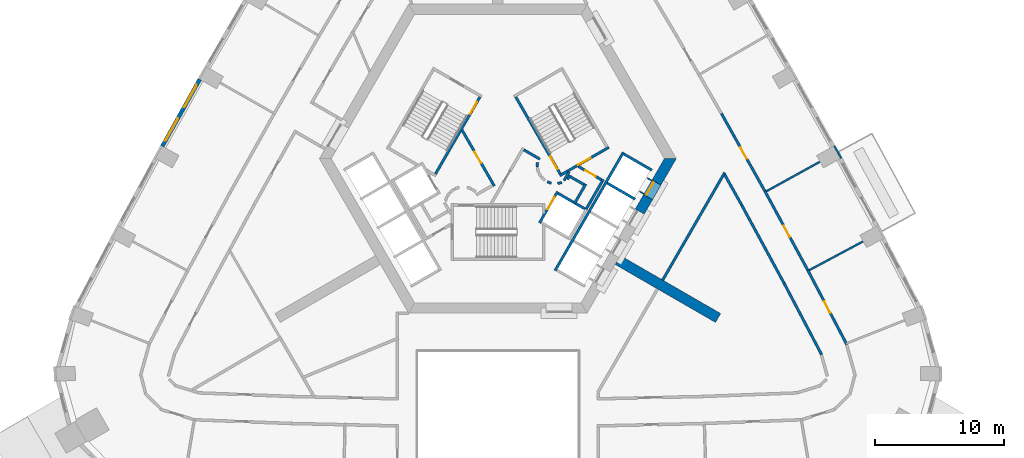
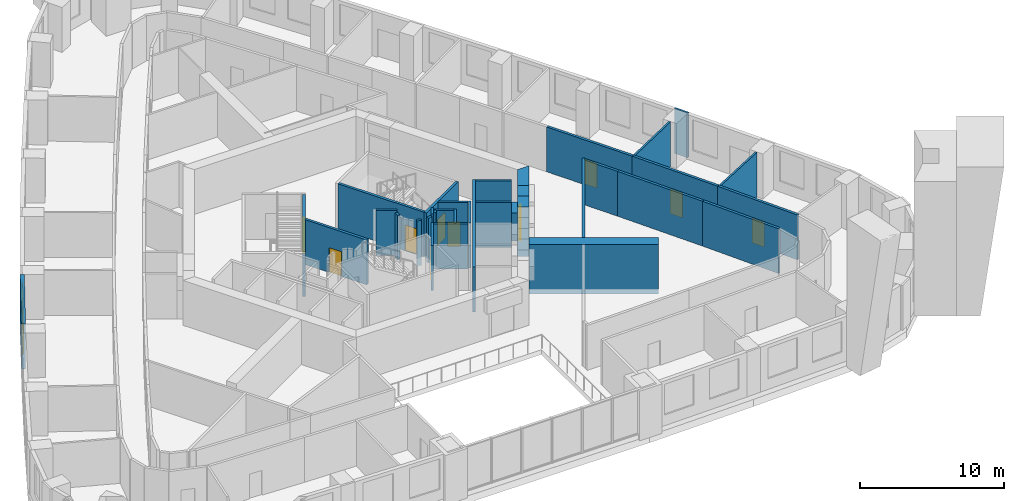
# One storey, part 7 of 15: 35 walls, 10 doors, 2 windows, 12 openings.
"""IFC4 building model written with IfcOpenShell, lengths in metres."""

from ifc_helpers import new_model, si_unit, direction, frame, frame_2d, origin, place, context, subcontext, project, spatial, polyline, rectangle, outline, extrude, material, layer, layer_set, type_object, element, fill, save


model = new_model("IFC4")

# Units and contexts
model_context = context("Model", 3, precision=1e-05, world=origin(), true_north=direction((0.0, 1.0)))
body_context = subcontext(model_context, "Body", "Model", "MODEL_VIEW")
ifc_project = project(units=[si_unit("LENGTHUNIT", "METRE"), si_unit("AREAUNIT", "SQUARE_METRE"), si_unit("VOLUMEUNIT", "CUBIC_METRE"), si_unit("PLANEANGLEUNIT", "RADIAN"), si_unit("MASSUNIT", "GRAM", prefix="KILO")], contexts=[model_context])

# Site, building, storey
site_placement = place(None, origin())
site = spatial("IfcSite", under=ifc_project, at=site_placement, CompositionType="ELEMENT")
building_placement = place(site_placement, origin())
building = spatial("IfcBuilding", under=site, at=building_placement, Name="Entoto Arch Interchange Tower", CompositionType="ELEMENT")
storey_placement = place(building_placement, frame((0.0, 0.0, 150.800048828125)))
storey = spatial("IfcBuildingStorey", under=building, at=storey_placement, Name="L33", CompositionType="ELEMENT", Elevation=150.800048828125)

# Walls
ifc_material_1 = material(Name="Concrete C50/60", Category="concrete")
ifc_layer_1 = layer(ifc_material_1, 0.800048828125)
ifc_layer_set_1 = layer_set([ifc_layer_1], Name="Concrete C50/60")
wall_type_1 = type_object("IfcWallType", Name="Buttress wall 800 C50/60", PredefinedType="SHEAR", material=ifc_layer_set_1)
wall_1_placement = place(storey_placement, frame((9.31005859375, -5.375, -0.400146484375), z_axis=(0.0, 0.0, 1.0), x_axis=(0.866017533419, -0.500013631625, 0.0)))
element("IfcWall", 1, at=wall_1_placement, inside=storey, type_object=wall_type_1, Name="Buttress wall SE L33", PredefinedType="SHEAR", context=body_context, shape_type="SweptSolid", body=[
    extrude(rectangle(XDim=8.999755859375, YDim=0.800048828125, at=frame_2d((4.5, 0.0))), origin(), (0.0, 0.0, 1.0), 4.2001953125),
])
ifc_layer_2 = layer(ifc_material_1, 0.800048828125)
ifc_layer_set_2 = layer_set([ifc_layer_2], Name="Concrete C50/60")
wall_type_2 = type_object("IfcWallType", Name="Core wall 800 C50/60", PredefinedType="SHEAR", material=ifc_layer_set_2)
wall_2_placement = place(storey_placement, frame((0.0, 0.0, -0.400146484375)))
element("IfcWall", 2, at=wall_2_placement, inside=storey, type_object=wall_type_2, Name="Core wall SE L33", PredefinedType="SHEAR", context=body_context, shape_type="SweptSolid", body=[
    extrude(outline(polyline([(12.01708984375, -0.68603515625), (11.323974609375, -0.285888671875), (10.675048828125, -1.410888671875), (11.366943359375, -1.81103515625), (12.01708984375, -0.68603515625)])), origin(), (0.0, 0.0, 1.0), 4.2001953125),
])
wall_3_placement = place(storey_placement, frame((0.0, 0.0, -0.400146484375)))
element("IfcWall", 3, at=wall_3_placement, inside=storey, type_object=wall_type_2, Name="Core wall SE L33", PredefinedType="SHEAR", context=body_context, shape_type="SweptSolid", body=[
    extrude(outline(polyline([(11.97412109375, 0.840087890625), (12.6669921875, 0.43994140625), (13.85595703125, 2.5), (12.93310546875, 2.5), (11.97412109375, 0.840087890625)])), origin(), (0.0, 0.0, 1.0), 4.2001953125),
])
wall_4_placement = place(storey_placement, frame((0.0, 0.0, 3.599853515625)))
element("IfcWall", 4, at=wall_4_placement, inside=storey, type_object=wall_type_2, Name="Core wall lintel SE L33", PredefinedType="SHEAR", context=body_context, shape_type="SweptSolid", body=[
    extrude(outline(polyline([(12.6669921875, 0.43994140625), (11.97412109375, 0.840087890625), (11.323974609375, -0.285888671875), (12.01708984375, -0.68603515625), (12.6669921875, 0.43994140625)])), origin(), (0.0, 0.0, 1.0), 0.2001953125),
])

# Wall, opening, door
ifc_material_2 = material(Name="Concrete C40/50", Category="concrete")
ifc_layer_3 = layer(ifc_material_2, 1.199951171875)
ifc_layer_set_3 = layer_set([ifc_layer_3], Name="Concrete C40/50")
wall_type_3 = type_object("IfcWallType", Name="LIFT LANDING INFILL WALL", PredefinedType="STANDARD", material=ifc_layer_set_3)
wall_5_placement = place(storey_placement, frame((11.498046875, -0.385009765625, 0.0), z_axis=(0.0, 0.0, 1.0), x_axis=(0.500221244143, 0.865897630733, 0.0)))
wall_5 = element("IfcWall", 5, at=wall_5_placement, inside=storey, type_object=wall_type_3, Name="Lift landing infill wall LR8 L33", PredefinedType="STANDARD", context=body_context, shape_type="SweptSolid", body=[
    extrude(rectangle(XDim=1.29931640625, YDim=1.199951171875, at=frame_2d((0.649658203125, 0.0))), origin(), (0.0, 0.0, 1.0), 2.39990234375),
])
opening_1_placement = place(wall_5_placement, frame((0.10009765625, 0.0, 0.0)))
opening_1 = element("IfcOpeningElement", 6, at=opening_1_placement, cuts=wall_5, Name="Opening LD-LR8-L33", PredefinedType="OPENING", context=body_context, shape_type="SweptSolid", body=[
    extrude(rectangle(XDim=1.10009765625, YDim=2.300048828125, at=frame_2d((0.550048828125, 1.14990234375))), frame((0.0, 0.60986328125, 0.0), z_axis=(0.0, -1.0, 0.0), x_axis=(1.0, 0.0, 0.0)), (0.0, 0.0, 1.0), 1.219970703125),
])
ifc_material_3 = material(Name="Stainless steel 1.4301 panels", Category="steel")
door_type_1 = type_object("IfcDoorType", Name="LIFT LANDING DOOR LD2 1100x2300", OperationType="SLIDING_TO_LEFT", PredefinedType="DOOR", material=ifc_material_3)
door_1_placement = place(opening_1_placement, origin())
door_1 = element("IfcDoor", 7, at=door_1_placement, inside=storey, type_object=door_type_1, Name="Lift landing door LR8 L33", OperationType="SLIDING_TO_LEFT", OverallHeight=2.300048828125, OverallWidth=1.10009765625, PredefinedType="DOOR", context=body_context, shape_type="SweptSolid", body=[
    extrude(rectangle(XDim=1.10009765625, YDim=2.300048828125, at=frame_2d((0.550048828125, 1.14990234375))), frame((0.0, 0.02490234375, 0.0), z_axis=(0.0, -1.0, 0.0), x_axis=(1.0, 0.0, 0.0)), (0.0, 0.0, 1.0), 0.050048828125),
])
fill(opening_1, door_1)

ifc_layer_4 = layer(ifc_material_2, 0.199951171875)
ifc_layer_set_4 = layer_set([ifc_layer_4], Name="Concrete C40/50")
wall_type_4 = type_object("IfcWallType", Name="LIFT SHAFT WALL 200", PredefinedType="STANDARD", material=ifc_layer_set_4)
wall_6_placement = place(storey_placement, frame((3.239990234375, -2.488037109375, 0.0), z_axis=(0.0, 0.0, 1.0), x_axis=(0.49994636267, 0.866056369097, 0.0)))
wall_6 = element("IfcWall", 8, at=wall_6_placement, inside=storey, type_object=wall_type_4, Name="Shaft wall SE1 front", PredefinedType="STANDARD", context=body_context, shape_type="SweptSolid", body=[
    extrude(rectangle(XDim=2.800048828125, YDim=0.199951171875, at=frame_2d((1.39990234375, 0.0))), origin(), (0.0, 0.0, 1.0), 3.800048828125),
])
opening_2_placement = place(wall_6_placement, frame((1.22509765625, 0.0, 0.0)))
opening_2 = element("IfcOpeningElement", 9, at=opening_2_placement, cuts=wall_6, Name="Opening LD-FF1-L33", PredefinedType="OPENING", context=body_context, shape_type="SweptSolid", body=[
    extrude(rectangle(XDim=1.10009765625, YDim=2.10009765625, at=frame_2d((0.550048828125, 1.050048828125))), frame((0.0, 0.10986328125, 0.0), z_axis=(0.0, -1.0, 0.0), x_axis=(1.0, 0.0, 0.0)), (0.0, 0.0, 1.0), 0.219970703125),
])
door_type_2 = type_object("IfcDoorType", Name="LIFT LANDING DOOR LD1 1100x2100", OperationType="SLIDING_TO_LEFT", PredefinedType="DOOR", material=ifc_material_3)
door_2_placement = place(opening_2_placement, origin())
door_2 = element("IfcDoor", 10, at=door_2_placement, inside=storey, type_object=door_type_2, Name="Lift landing door FF1 L33", OperationType="SLIDING_TO_LEFT", OverallHeight=2.10009765625, OverallWidth=1.10009765625, PredefinedType="DOOR", context=body_context, shape_type="SweptSolid", body=[
    extrude(rectangle(XDim=1.10009765625, YDim=2.10009765625, at=frame_2d((0.550048828125, 1.050048828125))), frame((0.0, 0.02490234375, 0.0), z_axis=(0.0, -1.0, 0.0), x_axis=(1.0, 0.0, 0.0)), (0.0, 0.0, 1.0), 0.050048828125),
])
fill(opening_2, door_2)

# Walls
wall_7_placement = place(storey_placement, frame((4.677001953125, -0.199951171875, 0.0), z_axis=(0.0, 0.0, 1.0), x_axis=(0.865973769406, -0.500089422704, 0.0)))
element("IfcWall", 11, at=wall_7_placement, inside=storey, type_object=wall_type_4, Name="Shaft wall SE1 cross 2", PredefinedType="STANDARD", context=body_context, shape_type="SweptSolid", body=[
    extrude(rectangle(XDim=2.3994140625, YDim=0.199951171875, at=frame_2d((1.19970703125, 0.0))), origin(), (0.0, 0.0, 1.0), 3.800048828125),
])
wall_8_placement = place(storey_placement, frame((4.450927734375, -6.18994140625, 0.0), z_axis=(0.0, 0.0, 1.0), x_axis=(0.50000090737, 0.866024879913, 0.0)))
element("IfcWall", 12, at=wall_8_placement, inside=storey, type_object=wall_type_4, Name="Shaft wall SE3 front", PredefinedType="STANDARD", context=body_context, shape_type="SweptSolid", body=[
    extrude(rectangle(XDim=10.60009765625, YDim=0.199951171875, at=frame_2d((5.300048828125, 0.0))), origin(), (0.0, 0.0, 1.0), 3.800048828125),
])
wall_9_placement = place(storey_placement, frame((8.488037109375, 0.60205078125, 0.0), z_axis=(0.0, 0.0, 1.0), x_axis=(0.866022959057, -0.500004234368, 0.0)))
element("IfcWall", 13, at=wall_9_placement, inside=storey, type_object=wall_type_4, Name="Shaft wall SE3 cross 4", PredefinedType="STANDARD", context=body_context, shape_type="SweptSolid", body=[
    extrude(rectangle(XDim=2.5, YDim=0.199951171875, at=frame_2d((1.25, 0.0))), origin(), (0.0, 0.0, 1.0), 3.800048828125),
])
wall_10_placement = place(storey_placement, frame((9.7880859375, 2.85302734375, 0.0), z_axis=(0.0, 0.0, 1.0), x_axis=(0.865998541277, -0.500046524342, 0.0)))
element("IfcWall", 14, at=wall_10_placement, inside=storey, type_object=wall_type_4, Name="Shaft wall SE3 cross 5", PredefinedType="STANDARD", context=body_context, shape_type="SweptSolid", body=[
    extrude(rectangle(XDim=2.499755859375, YDim=0.199951171875, at=frame_2d((1.25, 0.0))), origin(), (0.0, 0.0, 1.0), 3.800048828125),
])
ifc_material_4 = material(Name="Gypsum board partition on steel studs", Category="steel")
ifc_layer_5 = layer(ifc_material_4, 0.14990234375)
ifc_layer_set_5 = layer_set([ifc_layer_5], Name="Gypsum board partition on steel studs")
wall_type_5 = type_object("IfcWallType", Name="PARTITION 150", PredefinedType="PARTITIONING", material=ifc_layer_set_5)
wall_11_placement = place(storey_placement, frame((24.181884765625, -6.162109375, 0.0), z_axis=(0.0, 0.0, 1.0), x_axis=(0.88214427755, 0.470979270866, 0.0)))
element("IfcWall", 15, at=wall_11_placement, inside=storey, type_object=wall_type_5, Name="wall:L33:p126", PredefinedType="PARTITIONING", context=body_context, shape_type="SweptSolid", body=[
    extrude(rectangle(XDim=4.730712890625, YDim=0.14990234375, at=frame_2d((2.365234375, 0.0))), origin(), (0.0, 0.0, 1.0), 3.800048828125),
])
wall_12_placement = place(storey_placement, frame((20.85693359375, -0.032958984375, 0.0), z_axis=(0.0, 0.0, 1.0), x_axis=(0.875786153174, 0.482699299677, 0.0)))
element("IfcWall", 16, at=wall_12_placement, inside=storey, type_object=wall_type_5, Name="wall:L33:p127", PredefinedType="PARTITIONING", context=body_context, shape_type="SweptSolid", body=[
    extrude(rectangle(XDim=4.7294921875, YDim=0.14990234375, at=frame_2d((2.36474609375, 0.0))), origin(), (0.0, 0.0, 1.0), 3.800048828125),
])
ifc_layer_6 = layer(ifc_material_4, 0.199951171875)
ifc_layer_set_6 = layer_set([ifc_layer_6], Name="Gypsum board partition on steel studs")
wall_type_6 = type_object("IfcWallType", Name="PARTITION 200", PredefinedType="PARTITIONING", material=ifc_layer_set_6)
wall_13_placement = place(storey_placement, frame((25.14306640625, -12.721923828125, 0.0), z_axis=(0.0, 0.0, 1.0), x_axis=(-0.465089990515, 0.885263407536, 0.0)))
element("IfcWall", 17, at=wall_13_placement, inside=storey, type_object=wall_type_6, Name="wall:L33:p025", PredefinedType="PARTITIONING", context=body_context, shape_type="SweptSolid", body=[
    extrude(rectangle(XDim=6.23974609375, YDim=0.199951171875, at=frame_2d((3.119873046875, 0.0))), origin(), (0.0, 0.0, 1.0), 3.800048828125),
])
wall_14_placement = place(storey_placement, frame((22.240966796875, -7.197998046875, 0.0), z_axis=(0.0, 0.0, 1.0), x_axis=(-0.476865268044, 0.878976402489, 0.0)))
element("IfcWall", 18, at=wall_14_placement, inside=storey, type_object=wall_type_6, Name="wall:L33:p026", PredefinedType="PARTITIONING", context=body_context, shape_type="SweptSolid", body=[
    extrude(rectangle(XDim=6.943359375, YDim=0.199951171875, at=frame_2d((3.4716796875, 0.0))), origin(), (0.0, 0.0, 1.0), 3.800048828125),
])
wall_15_placement = place(storey_placement, frame((18.929931640625, -1.094970703125, 0.0), z_axis=(0.0, 0.0, 1.0), x_axis=(-0.488268004118, 0.872693735599, 0.0)))
element("IfcWall", 19, at=wall_15_placement, inside=storey, type_object=wall_type_6, Name="wall:L33:p027", PredefinedType="PARTITIONING", context=body_context, shape_type="SweptSolid", body=[
    extrude(rectangle(XDim=2.6826171875, YDim=0.199951171875, at=frame_2d((1.34130859375, 0.0))), origin(), (0.0, 0.0, 1.0), 3.800048828125),
])

# Wall, opening, door
wall_16_placement = place(storey_placement, frame((24.05908203125, -6.14306640625, 0.0), z_axis=(0.0, 0.0, 1.0), x_axis=(0.464993808059, -0.885313932154, 0.0)))
wall_16 = element("IfcWall", 20, at=wall_16_placement, inside=storey, type_object=wall_type_6, Name="wall:L33:p046", PredefinedType="PARTITIONING", context=body_context, shape_type="SweptSolid", body=[
    extrude(rectangle(XDim=6.552490234375, YDim=0.199951171875, at=frame_2d((3.2763671875, 0.0))), origin(), (0.0, 0.0, 1.0), 3.800048828125),
])
opening_3_placement = place(wall_16_placement, frame((2.77587890625, 0.0, 0.0)))
opening_3 = element("IfcOpeningElement", 21, at=opening_3_placement, cuts=wall_16, Name="Opening L33-D04", PredefinedType="OPENING", context=body_context, shape_type="SweptSolid", body=[
    extrude(rectangle(XDim=1.0, YDim=2.10009765625, at=frame_2d((0.5, 1.050048828125))), frame((0.0, 0.10986328125, 0.0), z_axis=(0.0, -1.0, 0.0), x_axis=(1.0, 0.0, 0.0)), (0.0, 0.0, 1.0), 0.219970703125),
])
ifc_material_5 = material(Name="Timber door leaf in Steel S235 frame", Category="steel")
door_type_3 = type_object("IfcDoorType", Name="DOOR DS-10 1000x2100", OperationType="SINGLE_SWING_LEFT", PredefinedType="DOOR", material=ifc_material_5)
door_3_placement = place(opening_3_placement, origin())
door_3 = element("IfcDoor", 22, at=door_3_placement, inside=storey, type_object=door_type_3, Name="door:L33:04", OperationType="SINGLE_SWING_LEFT", OverallHeight=2.10009765625, OverallWidth=1.0, PredefinedType="DOOR", context=body_context, shape_type="SweptSolid", body=[
    extrude(rectangle(XDim=1.0, YDim=2.10009765625, at=frame_2d((0.5, 1.050048828125))), frame((0.0, 0.02490234375, 0.0), z_axis=(0.0, -1.0, 0.0), x_axis=(1.0, 0.0, 0.0)), (0.0, 0.0, 1.0), 0.050048828125),
])
fill(opening_3, door_3)

wall_17_placement = place(storey_placement, frame((20.73291015625, -0.01611328125, 0.0), z_axis=(0.0, 0.0, 1.0), x_axis=(0.477104227839, -0.87884671916, 0.0)))
wall_17 = element("IfcWall", 23, at=wall_17_placement, inside=storey, type_object=wall_type_6, Name="wall:L33:p047", PredefinedType="PARTITIONING", context=body_context, shape_type="SweptSolid", body=[
    extrude(rectangle(XDim=6.9716796875, YDim=0.199951171875, at=frame_2d((3.48583984375, 0.0))), origin(), (0.0, 0.0, 1.0), 3.800048828125),
])
opening_4_placement = place(wall_17_placement, frame((3.06103515625, 0.0, 0.0)))
opening_4 = element("IfcOpeningElement", 24, at=opening_4_placement, cuts=wall_17, Name="Opening L33-D05", PredefinedType="OPENING", context=body_context, shape_type="SweptSolid", body=[
    extrude(rectangle(XDim=1.0, YDim=2.10009765625, at=frame_2d((0.5, 1.050048828125))), frame((0.0, 0.10986328125, 0.0), z_axis=(0.0, -1.0, 0.0), x_axis=(1.0, 0.0, 0.0)), (0.0, 0.0, 1.0), 0.219970703125),
])
door_4_placement = place(opening_4_placement, origin())
door_4 = element("IfcDoor", 25, at=door_4_placement, inside=storey, type_object=door_type_3, Name="door:L33:05", OperationType="SINGLE_SWING_LEFT", OverallHeight=2.10009765625, OverallWidth=1.0, PredefinedType="DOOR", context=body_context, shape_type="SweptSolid", body=[
    extrude(rectangle(XDim=1.0, YDim=2.10009765625, at=frame_2d((0.5, 1.050048828125))), frame((0.0, 0.02490234375, 0.0), z_axis=(0.0, -1.0, 0.0), x_axis=(1.0, 0.0, 0.0)), (0.0, 0.0, 1.0), 0.050048828125),
])
fill(opening_4, door_4)

wall_18_placement = place(storey_placement, frame((17.364013671875, 6.0009765625, 0.0), z_axis=(0.0, 0.0, 1.0), x_axis=(0.488528981592, -0.872547668695, 0.0)))
wall_18 = element("IfcWall", 26, at=wall_18_placement, inside=storey, type_object=wall_type_6, Name="wall:L33:p049", PredefinedType="PARTITIONING", context=body_context, shape_type="SweptSolid", body=[
    extrude(rectangle(XDim=6.89599609375, YDim=0.199951171875, at=frame_2d((3.447998046875, 0.0))), origin(), (0.0, 0.0, 1.0), 3.800048828125),
])
opening_5_placement = place(wall_18_placement, frame((3.02294921875, 0.0, 0.0)))
opening_5 = element("IfcOpeningElement", 27, at=opening_5_placement, cuts=wall_18, Name="Opening L33-D06", PredefinedType="OPENING", context=body_context, shape_type="SweptSolid", body=[
    extrude(rectangle(XDim=1.0, YDim=2.10009765625, at=frame_2d((0.5, 1.050048828125))), frame((0.0, 0.10986328125, 0.0), z_axis=(0.0, -1.0, 0.0), x_axis=(1.0, 0.0, 0.0)), (0.0, 0.0, 1.0), 0.219970703125),
])
door_5_placement = place(opening_5_placement, origin())
door_5 = element("IfcDoor", 28, at=door_5_placement, inside=storey, type_object=door_type_3, Name="door:L33:06", OperationType="SINGLE_SWING_LEFT", OverallHeight=2.10009765625, OverallWidth=1.0, PredefinedType="DOOR", context=body_context, shape_type="SweptSolid", body=[
    extrude(rectangle(XDim=1.0, YDim=2.10009765625, at=frame_2d((0.5, 1.050048828125))), frame((0.0, 0.02490234375, 0.0), z_axis=(0.0, -1.0, 0.0), x_axis=(1.0, 0.0, 0.0)), (0.0, 0.0, 1.0), 0.050048828125),
])
fill(opening_5, door_5)

# Walls
wall_19_placement = place(storey_placement, frame((5.389892578125, 0.89794921875, 0.0), z_axis=(0.0, 0.0, 1.0), x_axis=(0.673828488714, 0.738887791073, 0.0)))
element("IfcWall", 29, at=wall_19_placement, inside=storey, type_object=wall_type_6, Name="wall:L33:p074", PredefinedType="PARTITIONING", context=body_context, shape_type="SweptSolid", body=[
    extrude(rectangle(XDim=0.2626953125, YDim=0.199951171875, at=frame_2d((0.13134765625, 0.0))), origin(), (0.0, 0.0, 1.0), 3.800048828125),
])
wall_20_placement = place(storey_placement, frame((5.4990234375, 1.172119140625, 0.0), z_axis=(0.0, 0.0, 1.0), x_axis=(0.866333505267, -0.499465972466, 0.0)))
element("IfcWall", 30, at=wall_20_placement, inside=storey, type_object=wall_type_6, Name="wall:L33:p075", PredefinedType="PARTITIONING", context=body_context, shape_type="SweptSolid", body=[
    extrude(rectangle(XDim=1.37353515625, YDim=0.199951171875, at=frame_2d((0.686767578125, 0.0))), origin(), (0.0, 0.0, 1.0), 3.800048828125),
])
wall_21_placement = place(storey_placement, frame((6.825927734375, 0.52197265625, 0.0), z_axis=(0.0, 0.0, 1.0), x_axis=(-0.500016722714, -0.866015748706, 0.0)))
element("IfcWall", 31, at=wall_21_placement, inside=storey, type_object=wall_type_6, Name="wall:L33:p076", PredefinedType="PARTITIONING", context=body_context, shape_type="SweptSolid", body=[
    extrude(rectangle(XDim=1.69970703125, YDim=0.199951171875, at=frame_2d((0.849853515625, 0.0))), origin(), (0.0, 0.0, 1.0), 3.800048828125),
])

# Wall, opening, door
wall_22_placement = place(storey_placement, frame((6.25, 1.89404296875, 0.0), z_axis=(0.0, 0.0, 1.0), x_axis=(0.866043184279, -0.499969202016, 0.0)))
wall_22 = element("IfcWall", 32, at=wall_22_placement, inside=storey, type_object=wall_type_6, Name="wall:L33:p077", PredefinedType="PARTITIONING", context=body_context, shape_type="SweptSolid", body=[
    extrude(rectangle(XDim=2.084228515625, YDim=0.199951171875, at=frame_2d((1.0419921875, 0.0))), origin(), (0.0, 0.0, 1.0), 3.800048828125),
])
opening_6_placement = place(wall_22_placement, frame((0.64208984375, 0.0, 0.0)))
opening_6 = element("IfcOpeningElement", 33, at=opening_6_placement, cuts=wall_22, Name="Opening L33-D32", PredefinedType="OPENING", context=body_context, shape_type="SweptSolid", body=[
    extrude(rectangle(XDim=0.89990234375, YDim=2.10009765625, at=frame_2d((0.449951171875, 1.050048828125))), frame((0.0, 0.10986328125, 0.0), z_axis=(0.0, -1.0, 0.0), x_axis=(1.0, 0.0, 0.0)), (0.0, 0.0, 1.0), 0.219970703125),
])
door_type_4 = type_object("IfcDoorType", Name="DOOR DS-09 900x2100", OperationType="SINGLE_SWING_LEFT", PredefinedType="DOOR", material=ifc_material_5)
door_6_placement = place(opening_6_placement, origin())
door_6 = element("IfcDoor", 34, at=door_6_placement, inside=storey, type_object=door_type_4, Name="door:L33:32", OperationType="SINGLE_SWING_LEFT", OverallHeight=2.10009765625, OverallWidth=0.89990234375, PredefinedType="DOOR", context=body_context, shape_type="SweptSolid", body=[
    extrude(rectangle(XDim=0.89990234375, YDim=2.10009765625, at=frame_2d((0.449951171875, 1.050048828125))), frame((0.0, 0.02490234375, 0.0), z_axis=(0.0, -1.0, 0.0), x_axis=(1.0, 0.0, 0.0)), (0.0, 0.0, 1.0), 0.050048828125),
])
fill(opening_6, door_6)

# Walls
wall_23_placement = place(storey_placement, frame((8.19189453125, 0.887939453125, 0.0), z_axis=(0.0, 0.0, 1.0), x_axis=(-0.499940625693, -0.866059680843, 0.0)))
element("IfcWall", 35, at=wall_23_placement, inside=storey, type_object=wall_type_6, Name="wall:L33:p078", PredefinedType="PARTITIONING", context=body_context, shape_type="SweptSolid", body=[
    extrude(rectangle(XDim=2.679931640625, YDim=0.199951171875, at=frame_2d((1.33984375, 0.0))), origin(), (0.0, 0.0, 1.0), 3.800048828125),
])
wall_24_placement = place(storey_placement, frame((5.135009765625, 0.79296875, 0.0), z_axis=(0.0, 0.0, 1.0), x_axis=(0.499526442893, 0.866298639529, 0.0)))
element("IfcWall", 36, at=wall_24_placement, inside=storey, type_object=wall_type_6, Name="wall:L33:p079", PredefinedType="PARTITIONING", context=body_context, shape_type="SweptSolid", body=[
    extrude(rectangle(XDim=0.790771484375, YDim=0.199951171875, at=frame_2d((0.3955078125, 0.0))), origin(), (0.0, 0.0, 1.0), 3.800048828125),
])
wall_25_placement = place(storey_placement, frame((2.011962890625, 3.18603515625, 0.0), z_axis=(0.0, 0.0, 1.0), x_axis=(0.865891012941, -0.500232699559, 0.0)))
element("IfcWall", 37, at=wall_25_placement, inside=storey, type_object=wall_type_6, Name="wall:L33:p089", PredefinedType="PARTITIONING", context=body_context, shape_type="SweptSolid", body=[
    extrude(rectangle(XDim=1.449462890625, YDim=0.199951171875, at=frame_2d((0.724609375, 0.0))), origin(), (0.0, 0.0, 1.0), 3.800048828125),
])
wall_26_placement = place(storey_placement, frame((3.0791015625, 2.198974609375, 0.0), z_axis=(0.0, 0.0, 1.0), x_axis=(-0.047771483479, -0.998858290933, 0.0)))
element("IfcWall", 38, at=wall_26_placement, inside=storey, type_object=wall_type_6, Name="wall:L33:p090", PredefinedType="PARTITIONING", context=body_context, shape_type="SweptSolid", body=[
    extrude(rectangle(XDim=0.33740234375, YDim=0.199951171875, at=frame_2d((0.168701171875, 0.0))), origin(), (0.0, 0.0, 1.0), 3.800048828125),
])
wall_27_placement = place(storey_placement, frame((3.837890625, 0.701904296875, 0.0), z_axis=(0.0, 0.0, 1.0), x_axis=(0.941035081519, -0.338308993895, 0.0)))
element("IfcWall", 39, at=wall_27_placement, inside=storey, type_object=wall_type_6, Name="wall:L33:p094", PredefinedType="PARTITIONING", context=body_context, shape_type="SweptSolid", body=[
    extrude(rectangle(XDim=0.3369140625, YDim=0.199951171875, at=frame_2d((0.16845703125, 0.0))), origin(), (0.0, 0.0, 1.0), 3.800048828125),
])
wall_28_placement = place(storey_placement, frame((4.64404296875, 0.56396484375, 0.0), z_axis=(0.0, 0.0, 1.0), x_axis=(0.969929076366, 0.243387729394, 0.0)))
element("IfcWall", 40, at=wall_28_placement, inside=storey, type_object=wall_type_6, Name="wall:L33:p095", PredefinedType="PARTITIONING", context=body_context, shape_type="SweptSolid", body=[
    extrude(rectangle(XDim=0.337158203125, YDim=0.199951171875, at=frame_2d((0.16845703125, 0.0))), origin(), (0.0, 0.0, 1.0), 3.800048828125),
])

# Wall, opening, door
wall_29_placement = place(storey_placement, frame((-2.77099609375, 4.699951171875, 0.0), z_axis=(0.0, 0.0, 1.0), x_axis=(0.499969479948, -0.866043023828, 0.0)))
wall_29 = element("IfcWall", 41, at=wall_29_placement, inside=storey, type_object=wall_type_6, Name="wall:L33:p096", PredefinedType="PARTITIONING", context=body_context, shape_type="SweptSolid", body=[
    extrude(rectangle(XDim=4.990478515625, YDim=0.199951171875, at=frame_2d((2.4951171875, 0.0))), origin(), (0.0, 0.0, 1.0), 3.800048828125),
])
opening_7_placement = place(wall_29_placement, frame((1.945068359375, 0.0, 0.0)))
opening_7 = element("IfcOpeningElement", 42, at=opening_7_placement, cuts=wall_29, Name="Opening L33-D31", PredefinedType="OPENING", context=body_context, shape_type="SweptSolid", body=[
    extrude(rectangle(XDim=1.0, YDim=2.10009765625, at=frame_2d((0.5, 1.050048828125))), frame((0.0, 0.10986328125, 0.0), z_axis=(0.0, -1.0, 0.0), x_axis=(1.0, 0.0, 0.0)), (0.0, 0.0, 1.0), 0.219970703125),
])
ifc_material_6 = material(Name="Fire-rated Steel S235 door and frame", Category="steel")
door_type_5 = type_object("IfcDoorType", Name="DOOR FD-10 1000x2100", OperationType="SINGLE_SWING_LEFT", PredefinedType="DOOR", material=ifc_material_6)
door_7_placement = place(opening_7_placement, origin())
door_7 = element("IfcDoor", 43, at=door_7_placement, inside=storey, type_object=door_type_5, Name="door:L33:31", OperationType="SINGLE_SWING_RIGHT", OverallHeight=2.10009765625, OverallWidth=1.0, PredefinedType="DOOR", context=body_context, shape_type="SweptSolid", body=[
    extrude(rectangle(XDim=1.0, YDim=2.10009765625, at=frame_2d((0.5, 1.050048828125))), frame((0.0, 0.02490234375, 0.0), z_axis=(0.0, -1.0, 0.0), x_axis=(1.0, 0.0, 0.0)), (0.0, 0.0, 1.0), 0.050048828125),
])
fill(opening_7, door_7)

# Wall
wall_30_placement = place(storey_placement, frame((17.62109375, 1.419921875, 0.0), z_axis=(0.0, 0.0, 1.0), x_axis=(-0.499987708133, -0.866032500381, 0.0)))
element("IfcWall", 44, at=wall_30_placement, inside=storey, type_object=wall_type_6, Name="wall:L33:p110", PredefinedType="PARTITIONING", context=body_context, shape_type="SweptSolid", body=[
    extrude(rectangle(XDim=9.640380859375, YDim=0.199951171875, at=frame_2d((4.8203125, 0.0))), origin(), (0.0, 0.0, 1.0), 3.800048828125),
])

# Wall, opening, door
ifc_layer_7 = layer(ifc_material_2, 0.199951171875)
ifc_layer_set_7 = layer_set([ifc_layer_7], Name="Concrete C40/50")
wall_type_7 = type_object("IfcWallType", Name="STAIR ENCLOSURE WALL 200", PredefinedType="STANDARD", material=ifc_layer_set_7)
wall_31_placement = place(storey_placement, frame((4.805908203125, 1.176025390625, 0.0), z_axis=(0.0, 0.0, 1.0), x_axis=(0.866059941101, 0.499940174841, 0.0)))
wall_31 = element("IfcWall", 45, at=wall_31_placement, inside=storey, type_object=wall_type_7, Name="Stair wall ST-NE near", PredefinedType="STANDARD", context=body_context, shape_type="SweptSolid", body=[
    extrude(rectangle(XDim=4.400390625, YDim=0.199951171875, at=frame_2d((2.2001953125, 0.0))), origin(), (0.0, 0.0, 1.0), 3.800048828125),
])
opening_8_placement = place(wall_31_placement, frame((1.64990234375, 0.0, 0.0)))
opening_8 = element("IfcOpeningElement", 46, at=opening_8_placement, cuts=wall_31, Name="Opening SD-ST-NE-L33-E", PredefinedType="OPENING", context=body_context, shape_type="SweptSolid", body=[
    extrude(rectangle(XDim=1.10009765625, YDim=2.199951171875, at=frame_2d((0.550048828125, 1.10009765625))), frame((0.0, 0.10986328125, 0.0), z_axis=(0.0, -1.0, 0.0), x_axis=(1.0, 0.0, 0.0)), (0.0, 0.0, 1.0), 0.219970703125),
])
ifc_material_7 = material(Name="Steel S235", Category="steel")
door_type_6 = type_object("IfcDoorType", Name="STAIR DOOR SD1 1100x2200", OperationType="SINGLE_SWING_LEFT", PredefinedType="DOOR", material=ifc_material_7)
door_8_placement = place(opening_8_placement, origin())
door_8 = element("IfcDoor", 47, at=door_8_placement, inside=storey, type_object=door_type_6, Name="Stair door ST-NE L33 end", OperationType="SINGLE_SWING_LEFT", OverallHeight=2.199951171875, OverallWidth=1.10009765625, PredefinedType="DOOR", context=body_context, shape_type="SweptSolid", body=[
    extrude(rectangle(XDim=1.10009765625, YDim=2.199951171875, at=frame_2d((0.550048828125, 1.10009765625))), frame((0.0, 0.02490234375, 0.0), z_axis=(0.0, -1.0, 0.0), x_axis=(1.0, 0.0, 0.0)), (0.0, 0.0, 1.0), 0.050048828125),
])
fill(opening_8, door_8)

wall_32_placement = place(storey_placement, frame((4.843017578125, 1.31201171875, 0.0), z_axis=(0.0, 0.0, 1.0), x_axis=(-0.499963383562, 0.866046543262, 0.0)))
wall_32 = element("IfcWall", 48, at=wall_32_placement, inside=storey, type_object=wall_type_7, Name="Stair wall ST-NE hall", PredefinedType="STANDARD", context=body_context, shape_type="SweptSolid", body=[
    extrude(rectangle(XDim=6.900390625, YDim=0.199951171875, at=frame_2d((3.4501953125, 0.0))), origin(), (0.0, 0.0, 1.0), 3.800048828125),
])
opening_9_placement = place(wall_32_placement, frame((0.449951171875, 0.0, 0.0)))
opening_9 = element("IfcOpeningElement", 49, at=opening_9_placement, cuts=wall_32, Name="Opening SD-ST-NE-L33", PredefinedType="OPENING", context=body_context, shape_type="SweptSolid", body=[
    extrude(rectangle(XDim=1.10009765625, YDim=2.199951171875, at=frame_2d((0.550048828125, 1.10009765625))), frame((0.0, 0.10986328125, 0.0), z_axis=(0.0, -1.0, 0.0), x_axis=(1.0, 0.0, 0.0)), (0.0, 0.0, 1.0), 0.219970703125),
])
door_9_placement = place(opening_9_placement, origin())
door_9 = element("IfcDoor", 50, at=door_9_placement, inside=storey, type_object=door_type_6, Name="Stair door ST-NE L33", OperationType="SINGLE_SWING_LEFT", OverallHeight=2.199951171875, OverallWidth=1.10009765625, PredefinedType="DOOR", context=body_context, shape_type="SweptSolid", body=[
    extrude(rectangle(XDim=1.10009765625, YDim=2.199951171875, at=frame_2d((0.550048828125, 1.10009765625))), frame((0.0, 0.02490234375, 0.0), z_axis=(0.0, -1.0, 0.0), x_axis=(1.0, 0.0, 0.0)), (0.0, 0.0, 1.0), 0.050048828125),
])
fill(opening_9, door_9)

wall_33_placement = place(storey_placement, frame((-1.39306640625, 7.2880859375, 0.0), z_axis=(0.0, 0.0, 1.0), x_axis=(-0.499963383562, -0.866046543262, 0.0)))
wall_33 = element("IfcWall", 51, at=wall_33_placement, inside=storey, type_object=wall_type_7, Name="Stair wall ST-NW hall", PredefinedType="STANDARD", context=body_context, shape_type="SweptSolid", body=[
    extrude(rectangle(XDim=6.900390625, YDim=0.199951171875, at=frame_2d((3.4501953125, 0.0))), origin(), (0.0, 0.0, 1.0), 3.800048828125),
])
opening_10_placement = place(wall_33_placement, frame((0.449951171875, 0.0, 0.0)))
opening_10 = element("IfcOpeningElement", 52, at=opening_10_placement, cuts=wall_33, Name="Opening SD-ST-NW-L33", PredefinedType="OPENING", context=body_context, shape_type="SweptSolid", body=[
    extrude(rectangle(XDim=1.10009765625, YDim=2.199951171875, at=frame_2d((0.550048828125, 1.10009765625))), frame((0.0, 0.10986328125, 0.0), z_axis=(0.0, -1.0, 0.0), x_axis=(1.0, 0.0, 0.0)), (0.0, 0.0, 1.0), 0.219970703125),
])
door_10_placement = place(opening_10_placement, origin())
door_10 = element("IfcDoor", 53, at=door_10_placement, inside=storey, type_object=door_type_6, Name="Stair door ST-NW L33", OperationType="SINGLE_SWING_LEFT", OverallHeight=2.199951171875, OverallWidth=1.10009765625, PredefinedType="DOOR", context=body_context, shape_type="SweptSolid", body=[
    extrude(rectangle(XDim=1.10009765625, YDim=2.199951171875, at=frame_2d((0.550048828125, 1.10009765625))), frame((0.0, 0.02490234375, 0.0), z_axis=(0.0, -1.0, 0.0), x_axis=(1.0, 0.0, 0.0)), (0.0, 0.0, 1.0), 0.050048828125),
])
fill(opening_10, door_10)

# Wall, openings, windows
ifc_material_8 = material(Name="Welded tuff (ignimbrite) cladding, warm buff", Category="masonry")
ifc_layer_8 = layer(ifc_material_8, 0.300048828125)
ifc_layer_set_8 = layer_set([ifc_layer_8], Name="Welded tuff (ignimbrite) cladding, warm buff")
wall_type_8 = type_object("IfcWallType", Name="STONE INFILL WALL 300", PredefinedType="STANDARD", material=ifc_layer_set_8)
wall_34_placement = place(storey_placement, frame((-23.153076171875, 8.660888671875, 0.0), z_axis=(0.0, 0.0, 1.0), x_axis=(-0.488354983501, -0.872645065356, 0.0)))
wall_34 = element("IfcWall", 54, at=wall_34_placement, inside=storey, type_object=wall_type_8, Name="Facade wall NW-05 L33", PredefinedType="STANDARD", context=body_context, shape_type="SweptSolid", body=[
    extrude(rectangle(XDim=5.95654296875, YDim=0.300048828125, at=frame_2d((2.978271484375, 0.0))), origin(), (0.0, 0.0, 1.0), 3.800048828125),
])
opening_11_placement = place(wall_34_placement, frame((0.489013671875, 0.0, 0.89990234375)))
opening_11 = element("IfcOpeningElement", 55, at=opening_11_placement, cuts=wall_34, Name="Opening WO-C", PredefinedType="OPENING", context=body_context, shape_type="SweptSolid", body=[
    extrude(rectangle(XDim=2.0, YDim=2.60009765625, at=frame_2d((1.0, 1.300048828125))), frame((0.0, 0.16015625, 0.0), z_axis=(0.0, -1.0, 0.0), x_axis=(1.0, 0.0, 0.0)), (0.0, 0.0, 1.0), 0.320068359375),
])
opening_12_placement = place(wall_34_placement, frame((3.467041015625, 0.0, 0.89990234375)))
opening_12 = element("IfcOpeningElement", 56, at=opening_12_placement, cuts=wall_34, Name="Opening WO-C", PredefinedType="OPENING", context=body_context, shape_type="SweptSolid", body=[
    extrude(rectangle(XDim=2.0, YDim=2.60009765625, at=frame_2d((1.0, 1.300048828125))), frame((0.0, 0.16015625, 0.0), z_axis=(0.0, -1.0, 0.0), x_axis=(1.0, 0.0, 0.0)), (0.0, 0.0, 1.0), 0.320068359375),
])
ifc_material_9 = material(Name="Clear glass, low-e double glazed", Category="glass")
window_type = type_object("IfcWindowType", Name="WINDOW WO-C 2000x2600", PartitioningType="DOUBLE_PANEL_VERTICAL", PredefinedType="WINDOW", material=ifc_material_9)
window_1_placement = place(opening_11_placement, origin())
window_1 = element("IfcWindow", 57, at=window_1_placement, inside=storey, type_object=window_type, Name="Window WO-C NW-05 L33", OverallHeight=2.60009765625, OverallWidth=2.0, PartitioningType="SINGLE_PANEL", PredefinedType="WINDOW", context=body_context, shape_type="SweptSolid", body=[
    extrude(rectangle(XDim=2.0, YDim=2.60009765625, at=frame_2d((1.0, 1.300048828125))), frame((0.0, 0.030029296875, 0.0), z_axis=(0.0, -1.0, 0.0), x_axis=(1.0, 0.0, 0.0)), (0.0, 0.0, 1.0), 0.06005859375),
])
fill(opening_11, window_1)
window_2_placement = place(opening_12_placement, origin())
window_2 = element("IfcWindow", 58, at=window_2_placement, inside=storey, type_object=window_type, Name="Window WO-C NW-05 L33", OverallHeight=2.60009765625, OverallWidth=2.0, PartitioningType="SINGLE_PANEL", PredefinedType="WINDOW", context=body_context, shape_type="SweptSolid", body=[
    extrude(rectangle(XDim=2.0, YDim=2.60009765625, at=frame_2d((1.0, 1.300048828125))), frame((0.0, 0.030029296875, 0.0), z_axis=(0.0, -1.0, 0.0), x_axis=(1.0, 0.0, 0.0)), (0.0, 0.0, 1.0), 0.06005859375),
])
fill(opening_12, window_2)

# Wall
ifc_layer_9 = layer(ifc_material_8, 0.14990234375)
ifc_layer_set_9 = layer_set([ifc_layer_9], Name="Welded tuff (ignimbrite) cladding, warm buff")
wall_type_9 = type_object("IfcWallType", Name="STONE PIER CLADDING 150", PredefinedType="STANDARD", material=ifc_layer_set_9)
wall_35_placement = place(storey_placement, frame((26.660888671875, 2.5380859375, 0.0), z_axis=(0.0, 0.0, 1.0), x_axis=(-0.481680143513, 0.87634709981, 0.0)))
element("IfcWall", 59, at=wall_35_placement, inside=storey, type_object=wall_type_9, Name="Stone pier NE03 L33", PredefinedType="STANDARD", context=body_context, shape_type="SweptSolid", body=[
    extrude(rectangle(XDim=1.099853515625, YDim=0.14990234375, at=frame_2d((0.5498046875, 0.0))), origin(), (0.0, 0.0, 1.0), 3.800048828125),
])

save(model, "model.ifc")
